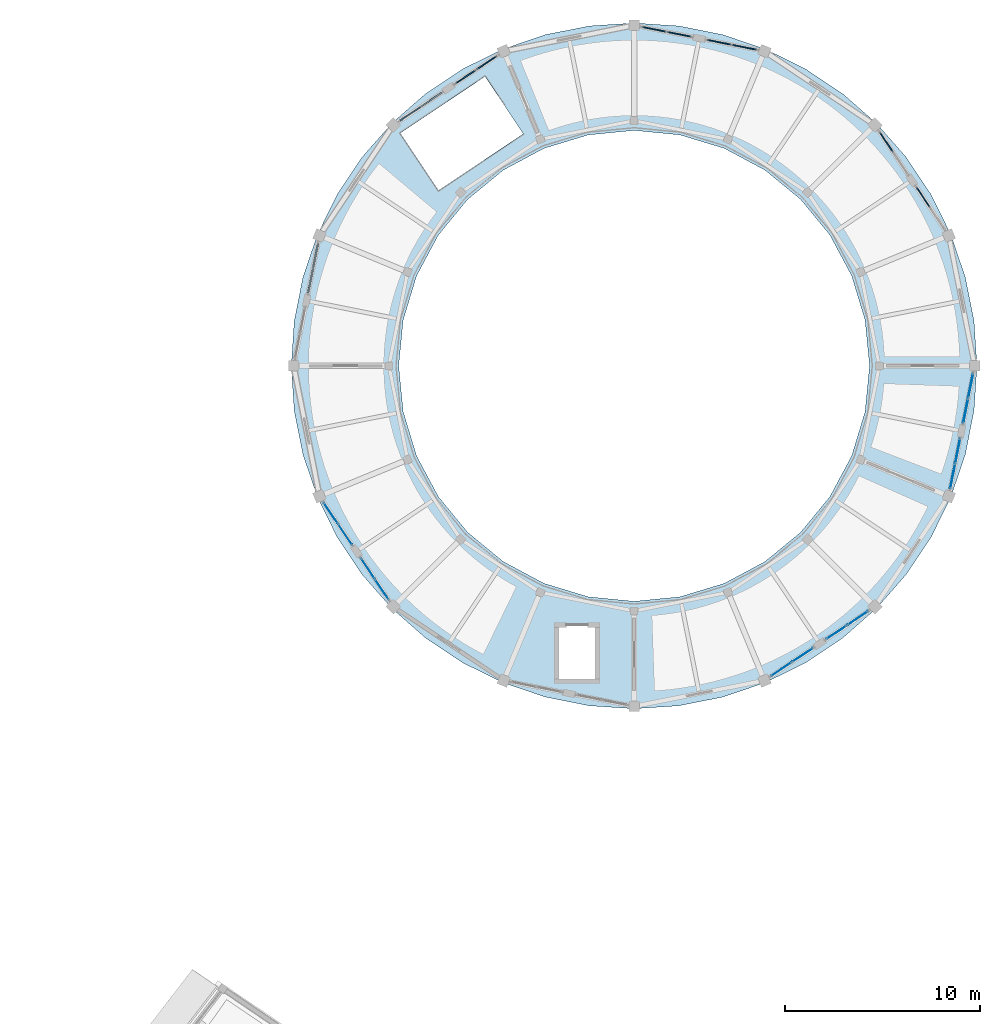
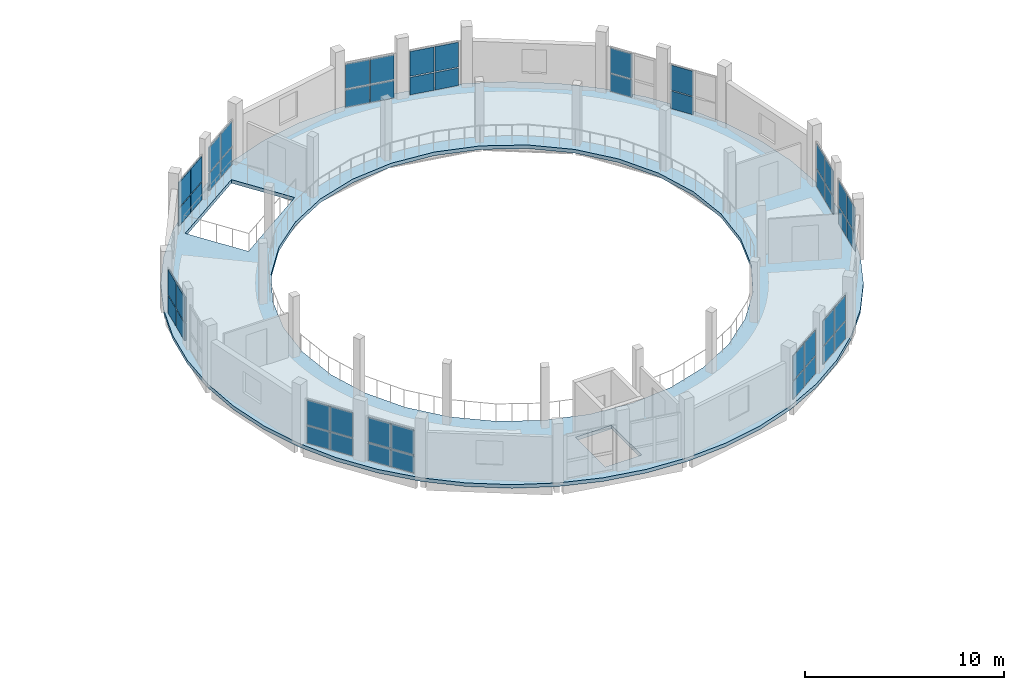
# One storey, part 53 of 77: 48 plates, 1 slab, 13 elements without a shape of their own.
"""IFC4 building model written with IfcOpenShell, lengths in metres."""

from ifc_helpers import new_model, si_unit, direction, frame, origin, origin_2d, place, context, subcontext, project, spatial, polyline, rectangle, outline, extrude, material, layer, layer_set, type_object, element, aggregate, save


model = new_model("IFC4")

# Units and contexts
model_context = context("Model", 3, precision=1e-05, world=origin(), true_north=direction((0.0, 1.0)))
body_context = subcontext(model_context, "Body", "Model", "MODEL_VIEW")
ifc_project = project(units=[si_unit("LENGTHUNIT", "METRE"), si_unit("AREAUNIT", "SQUARE_METRE"), si_unit("VOLUMEUNIT", "CUBIC_METRE"), si_unit("PLANEANGLEUNIT", "RADIAN"), si_unit("MASSUNIT", "GRAM", prefix="KILO")], contexts=[model_context])

# Site, building, storey
site_placement = place(None, origin())
site = spatial("IfcSite", under=ifc_project, at=site_placement, CompositionType="ELEMENT")
building_placement = place(site_placement, origin())
building = spatial("IfcBuilding", under=site, at=building_placement, Name="Caldaven Crescent School", CompositionType="ELEMENT")
storey_placement = place(building_placement, frame((0.0, 0.0, 4.419921875)))
storey = spatial("IfcBuildingStorey", under=building, at=storey_placement, Name="L01", CompositionType="ELEMENT", Elevation=4.419921875)

# Curtain wall, plates
ifc_material_1 = material(Name="Anodised aluminium AA 6063-T6 and low-E double glazing", Category="aluminium")
ifc_layer_1 = layer(ifc_material_1, 0.18994140625)
ifc_layer_set_1 = layer_set([ifc_layer_1], Name="Anodised aluminium AA 6063-T6 and low-E double glazing")
curtain_wall_type_1 = type_object("IfcCurtainWallType", Name="CW-SYS2", PredefinedType="NOTDEFINED", material=ifc_layer_set_1)
curtain_wall_1_placement = place(storey_placement, origin())
curtain_wall_1 = element("IfcCurtainWall", 1, at=curtain_wall_1_placement, inside=storey, type_object=curtain_wall_type_1, Name="CW-L01-025", PredefinedType="NOTDEFINED")
ifc_material_2 = material(Name="Tempered low-E double glazing IGU", Category="glass")
ifc_layer_2 = layer(ifc_material_2, 0.028076171875)
ifc_layer_set_2 = layer_set([ifc_layer_2], Name="Tempered low-E double glazing IGU")
plate_type_1 = type_object("IfcPlateType", Name="PLT-CWP02", PredefinedType="CURTAIN_PANEL", material=ifc_layer_set_2)
plate_1_placement = place(storey_placement, frame((136.91455078125, 90.93115234375, 0.06494140625), z_axis=(0.0, 0.0, 1.0), x_axis=(0.555569320019, -0.83147022235, 0.0)))
plate_1 = element("IfcPlate", 2, at=plate_1_placement, type_object=plate_type_1, Name="CW2 panel 1.1", PredefinedType="CURTAIN_PANEL", context=body_context, shape_type="SweptSolid", body=[
    extrude(rectangle(XDim=1.257080078125, YDim=0.028076171875, at=origin_2d()), origin(), (0.0, 0.0, 1.0), 1.070556640625),
])
plate_2_placement = place(storey_placement, frame((136.91455078125, 90.93115234375, 1.20068359375), z_axis=(0.0, 0.0, 1.0), x_axis=(0.555569320019, -0.83147022235, 0.0)))
plate_2 = element("IfcPlate", 3, at=plate_2_placement, type_object=plate_type_1, Name="CW2 panel 1.2", PredefinedType="CURTAIN_PANEL", context=body_context, shape_type="SweptSolid", body=[
    extrude(rectangle(XDim=1.257080078125, YDim=0.028076171875, at=origin_2d()), origin(), (0.0, 0.0, 1.0), 1.514404296875),
])
plate_3_placement = place(storey_placement, frame((137.646240234375, 89.836181640625, 0.06494140625), z_axis=(0.0, 0.0, 1.0), x_axis=(0.555569320019, -0.83147022235, 0.0)))
plate_3 = element("IfcPlate", 4, at=plate_3_placement, type_object=plate_type_1, Name="CW2 panel 2.1", PredefinedType="CURTAIN_PANEL", context=body_context, shape_type="SweptSolid", body=[
    extrude(rectangle(XDim=1.257080078125, YDim=0.028076171875, at=origin_2d()), origin(), (0.0, 0.0, 1.0), 1.070556640625),
])
plate_4_placement = place(storey_placement, frame((137.646240234375, 89.836181640625, 1.20068359375), z_axis=(0.0, 0.0, 1.0), x_axis=(0.555569320019, -0.83147022235, 0.0)))
plate_4 = element("IfcPlate", 5, at=plate_4_placement, type_object=plate_type_1, Name="CW2 panel 2.2", PredefinedType="CURTAIN_PANEL", context=body_context, shape_type="SweptSolid", body=[
    extrude(rectangle(XDim=1.257080078125, YDim=0.028076171875, at=origin_2d()), origin(), (0.0, 0.0, 1.0), 1.514404296875),
])
aggregate(curtain_wall_1, [plate_1, plate_2, plate_3, plate_4])

ifc_layer_3 = layer(ifc_material_1, 0.2099609375)
ifc_layer_set_3 = layer_set([ifc_layer_3], Name="Anodised aluminium AA 6063-T6 and low-E double glazing")
curtain_wall_type_2 = type_object("IfcCurtainWallType", Name="CW-SYS3", PredefinedType="NOTDEFINED", material=ifc_layer_set_3)
curtain_wall_2_placement = place(storey_placement, origin())
curtain_wall_2 = element("IfcCurtainWall", 6, at=curtain_wall_2_placement, inside=storey, type_object=curtain_wall_type_2, Name="CW-L01-026", PredefinedType="NOTDEFINED")
ifc_layer_4 = layer(ifc_material_2, 0.030029296875)
ifc_layer_set_4 = layer_set([ifc_layer_4], Name="Tempered low-E double glazing IGU")
plate_type_2 = type_object("IfcPlateType", Name="PLT-CWP03", PredefinedType="CURTAIN_PANEL", material=ifc_layer_set_4)
plate_5_placement = place(storey_placement, frame((138.81201171875, 88.091552734375, 0.070068359375), z_axis=(0.0, 0.0, 1.0), x_axis=(0.555571886154, -0.831468507711, 0.0)))
plate_5 = element("IfcPlate", 7, at=plate_5_placement, type_object=plate_type_2, Name="CW3 panel 1.1", PredefinedType="CURTAIN_PANEL", context=body_context, shape_type="SweptSolid", body=[
    extrude(rectangle(XDim=1.24951171875, YDim=0.030029296875, at=origin_2d()), origin(), (0.0, 0.0, 1.0), 1.06298828125),
])
plate_6_placement = place(storey_placement, frame((138.81201171875, 88.091552734375, 1.203125), z_axis=(0.0, 0.0, 1.0), x_axis=(0.555571886154, -0.831468507711, 0.0)))
plate_6 = element("IfcPlate", 8, at=plate_6_placement, type_object=plate_type_2, Name="CW3 panel 1.2", PredefinedType="CURTAIN_PANEL", context=body_context, shape_type="SweptSolid", body=[
    extrude(rectangle(XDim=1.24951171875, YDim=0.030029296875, at=origin_2d()), origin(), (0.0, 0.0, 1.0), 1.507080078125),
])
plate_7_placement = place(storey_placement, frame((139.54248046875, 86.99853515625, 0.070068359375), z_axis=(0.0, 0.0, 1.0), x_axis=(0.555571886154, -0.831468507711, 0.0)))
plate_7 = element("IfcPlate", 9, at=plate_7_placement, type_object=plate_type_2, Name="CW3 panel 2.1", PredefinedType="CURTAIN_PANEL", context=body_context, shape_type="SweptSolid", body=[
    extrude(rectangle(XDim=1.24951171875, YDim=0.030029296875, at=origin_2d()), origin(), (0.0, 0.0, 1.0), 1.06298828125),
])
plate_8_placement = place(storey_placement, frame((139.54248046875, 86.99853515625, 1.203125), z_axis=(0.0, 0.0, 1.0), x_axis=(0.555571886154, -0.831468507711, 0.0)))
plate_8 = element("IfcPlate", 10, at=plate_8_placement, type_object=plate_type_2, Name="CW3 panel 2.2", PredefinedType="CURTAIN_PANEL", context=body_context, shape_type="SweptSolid", body=[
    extrude(rectangle(XDim=1.24951171875, YDim=0.030029296875, at=origin_2d()), origin(), (0.0, 0.0, 1.0), 1.507080078125),
])
aggregate(curtain_wall_2, [plate_5, plate_6, plate_7, plate_8])

curtain_wall_3_placement = place(storey_placement, origin())
curtain_wall_3 = element("IfcCurtainWall", 11, at=curtain_wall_3_placement, inside=storey, type_object=curtain_wall_type_1, Name="CW-L01-029", PredefinedType="NOTDEFINED")
ifc_layer_5 = layer(ifc_material_2, 0.035888671875)
ifc_layer_set_5 = layer_set([ifc_layer_5], Name="Tempered low-E double glazing IGU")
plate_type_3 = type_object("IfcPlateType", Name="PLT-CWP06", PredefinedType="CURTAIN_PANEL", material=ifc_layer_set_5)
plate_9_placement = place(storey_placement, frame((160.06982421875, 82.915283203125, 0.06005859375), z_axis=(0.0, 0.0, 1.0), x_axis=(0.83147022235, 0.555569320019, 0.0)))
plate_9 = element("IfcPlate", 12, at=plate_9_placement, type_object=plate_type_3, Name="CW2 panel 1.1", PredefinedType="CURTAIN_PANEL", context=body_context, shape_type="SweptSolid", body=[
    extrude(rectangle(XDim=1.24951171875, YDim=0.035888671875, at=origin_2d()), origin(), (0.0, 0.0, 1.0), 1.077880859375),
])
plate_10_placement = place(storey_placement, frame((160.06982421875, 82.915283203125, 1.197998046875), z_axis=(0.0, 0.0, 1.0), x_axis=(0.83147022235, 0.555569320019, 0.0)))
plate_10 = element("IfcPlate", 13, at=plate_10_placement, type_object=plate_type_3, Name="CW2 panel 1.2", PredefinedType="CURTAIN_PANEL", context=body_context, shape_type="SweptSolid", body=[
    extrude(rectangle(XDim=1.24951171875, YDim=0.035888671875, at=origin_2d()), origin(), (0.0, 0.0, 1.0), 1.52197265625),
])
plate_11_placement = place(storey_placement, frame((161.162841796875, 83.645751953125, 0.06005859375), z_axis=(0.0, 0.0, 1.0), x_axis=(0.83147022235, 0.555569320019, 0.0)))
plate_11 = element("IfcPlate", 14, at=plate_11_placement, type_object=plate_type_3, Name="CW2 panel 2.1", PredefinedType="CURTAIN_PANEL", context=body_context, shape_type="SweptSolid", body=[
    extrude(rectangle(XDim=1.24951171875, YDim=0.035888671875, at=origin_2d()), origin(), (0.0, 0.0, 1.0), 1.077880859375),
])
plate_12_placement = place(storey_placement, frame((161.162841796875, 83.645751953125, 1.197998046875), z_axis=(0.0, 0.0, 1.0), x_axis=(0.83147022235, 0.555569320019, 0.0)))
plate_12 = element("IfcPlate", 15, at=plate_12_placement, type_object=plate_type_3, Name="CW2 panel 2.2", PredefinedType="CURTAIN_PANEL", context=body_context, shape_type="SweptSolid", body=[
    extrude(rectangle(XDim=1.24951171875, YDim=0.035888671875, at=origin_2d()), origin(), (0.0, 0.0, 1.0), 1.52197265625),
])
aggregate(curtain_wall_3, [plate_9, plate_10, plate_11, plate_12])

curtain_wall_4_placement = place(storey_placement, origin())
curtain_wall_4 = element("IfcCurtainWall", 16, at=curtain_wall_4_placement, inside=storey, type_object=curtain_wall_type_2, Name="CW-L01-030", PredefinedType="NOTDEFINED")
ifc_layer_6 = layer(ifc_material_2, 0.0380859375)
ifc_layer_set_6 = layer_set([ifc_layer_6], Name="Tempered low-E double glazing IGU")
plate_type_4 = type_object("IfcPlateType", Name="PLT-CWP07", PredefinedType="CURTAIN_PANEL", material=ifc_layer_set_6)
plate_13_placement = place(storey_placement, frame((162.90966796875, 84.812744140625, 0.06494140625), z_axis=(0.0, 0.0, 1.0), x_axis=(0.831468507711, 0.555571886154, 0.0)))
plate_13 = element("IfcPlate", 17, at=plate_13_placement, type_object=plate_type_4, Name="CW3 panel 1.1", PredefinedType="CURTAIN_PANEL", context=body_context, shape_type="SweptSolid", body=[
    extrude(rectangle(XDim=1.241943359375, YDim=0.0380859375, at=origin_2d()), origin(), (0.0, 0.0, 1.0), 1.070556640625),
])
plate_14_placement = place(storey_placement, frame((162.90966796875, 84.812744140625, 1.20068359375), z_axis=(0.0, 0.0, 1.0), x_axis=(0.831468507711, 0.555571886154, 0.0)))
plate_14 = element("IfcPlate", 18, at=plate_14_placement, type_object=plate_type_4, Name="CW3 panel 1.2", PredefinedType="CURTAIN_PANEL", context=body_context, shape_type="SweptSolid", body=[
    extrude(rectangle(XDim=1.241943359375, YDim=0.0380859375, at=origin_2d()), origin(), (0.0, 0.0, 1.0), 1.514404296875),
])
plate_15_placement = place(storey_placement, frame((164.00048828125, 85.541748046875, 0.06494140625), z_axis=(0.0, 0.0, 1.0), x_axis=(0.831468507711, 0.555571886154, 0.0)))
plate_15 = element("IfcPlate", 19, at=plate_15_placement, type_object=plate_type_4, Name="CW3 panel 2.1", PredefinedType="CURTAIN_PANEL", context=body_context, shape_type="SweptSolid", body=[
    extrude(rectangle(XDim=1.241943359375, YDim=0.0380859375, at=origin_2d()), origin(), (0.0, 0.0, 1.0), 1.070556640625),
])
plate_16_placement = place(storey_placement, frame((164.00048828125, 85.541748046875, 1.20068359375), z_axis=(0.0, 0.0, 1.0), x_axis=(0.831468507711, 0.555571886154, 0.0)))
plate_16 = element("IfcPlate", 20, at=plate_16_placement, type_object=plate_type_4, Name="CW3 panel 2.2", PredefinedType="CURTAIN_PANEL", context=body_context, shape_type="SweptSolid", body=[
    extrude(rectangle(XDim=1.241943359375, YDim=0.0380859375, at=origin_2d()), origin(), (0.0, 0.0, 1.0), 1.514404296875),
])
aggregate(curtain_wall_4, [plate_13, plate_14, plate_15, plate_16])

ifc_layer_7 = layer(ifc_material_1, 0.22998046875)
ifc_layer_set_7 = layer_set([ifc_layer_7], Name="Anodised aluminium AA 6063-T6 and low-E double glazing")
curtain_wall_type_3 = type_object("IfcCurtainWallType", Name="CW-SYS4", PredefinedType="NOTDEFINED", material=ifc_layer_set_7)
curtain_wall_5_placement = place(storey_placement, origin())
curtain_wall_5 = element("IfcCurtainWall", 21, at=curtain_wall_5_placement, inside=storey, type_object=curtain_wall_type_3, Name="CW-L01-031", PredefinedType="NOTDEFINED")
ifc_layer_8 = layer(ifc_material_2, 0.0400390625)
ifc_layer_set_8 = layer_set([ifc_layer_8], Name="Tempered low-E double glazing IGU")
plate_type_5 = type_object("IfcPlateType", Name="PLT-CWP08", PredefinedType="CURTAIN_PANEL", material=ifc_layer_set_8)
plate_17_placement = place(storey_placement, frame((168.87255859375, 92.831298828125, 0.06494140625), z_axis=(0.0, 0.0, 1.0), x_axis=(0.195090276825, 0.980785289392, 0.0)))
plate_17 = element("IfcPlate", 22, at=plate_17_placement, type_object=plate_type_5, Name="CW4 panel 1.1", PredefinedType="CURTAIN_PANEL", context=body_context, shape_type="SweptSolid", body=[
    extrude(rectangle(XDim=1.257080078125, YDim=0.0400390625, at=origin_2d()), origin(), (0.0, 0.0, 1.0), 1.070556640625),
])
plate_18_placement = place(storey_placement, frame((168.87255859375, 92.831298828125, 1.20068359375), z_axis=(0.0, 0.0, 1.0), x_axis=(0.195090276825, 0.980785289392, 0.0)))
plate_18 = element("IfcPlate", 23, at=plate_18_placement, type_object=plate_type_5, Name="CW4 panel 1.2", PredefinedType="CURTAIN_PANEL", context=body_context, shape_type="SweptSolid", body=[
    extrude(rectangle(XDim=1.257080078125, YDim=0.0400390625, at=origin_2d()), origin(), (0.0, 0.0, 1.0), 1.514404296875),
])
plate_19_placement = place(storey_placement, frame((169.12939453125, 94.123046875, 0.06494140625), z_axis=(0.0, 0.0, 1.0), x_axis=(0.195090276825, 0.980785289392, 0.0)))
plate_19 = element("IfcPlate", 24, at=plate_19_placement, type_object=plate_type_5, Name="CW4 panel 2.1", PredefinedType="CURTAIN_PANEL", context=body_context, shape_type="SweptSolid", body=[
    extrude(rectangle(XDim=1.257080078125, YDim=0.0400390625, at=origin_2d()), origin(), (0.0, 0.0, 1.0), 1.070556640625),
])
plate_20_placement = place(storey_placement, frame((169.12939453125, 94.123046875, 1.20068359375), z_axis=(0.0, 0.0, 1.0), x_axis=(0.195090276825, 0.980785289392, 0.0)))
plate_20 = element("IfcPlate", 25, at=plate_20_placement, type_object=plate_type_5, Name="CW4 panel 2.2", PredefinedType="CURTAIN_PANEL", context=body_context, shape_type="SweptSolid", body=[
    extrude(rectangle(XDim=1.257080078125, YDim=0.0400390625, at=origin_2d()), origin(), (0.0, 0.0, 1.0), 1.514404296875),
])
aggregate(curtain_wall_5, [plate_17, plate_18, plate_19, plate_20])

ifc_layer_9 = layer(ifc_material_1, 0.169921875)
ifc_layer_set_9 = layer_set([ifc_layer_9], Name="Anodised aluminium AA 6063-T6 and low-E double glazing")
curtain_wall_type_4 = type_object("IfcCurtainWallType", Name="CW-SYS1", PredefinedType="NOTDEFINED", material=ifc_layer_set_9)
curtain_wall_6_placement = place(storey_placement, origin())
curtain_wall_6 = element("IfcCurtainWall", 26, at=curtain_wall_6_placement, inside=storey, type_object=curtain_wall_type_4, Name="CW-L01-032", PredefinedType="NOTDEFINED")
ifc_layer_10 = layer(ifc_material_2, 0.0419921875)
ifc_layer_set_10 = layer_set([ifc_layer_10], Name="Tempered low-E double glazing IGU")
plate_type_6 = type_object("IfcPlateType", Name="PLT-CWP09", PredefinedType="CURTAIN_PANEL", material=ifc_layer_set_10)
plate_21_placement = place(storey_placement, frame((169.538818359375, 96.18115234375, 0.070068359375), z_axis=(0.0, 0.0, 1.0), x_axis=(0.195090276825, 0.980785289392, 0.0)))
plate_21 = element("IfcPlate", 27, at=plate_21_placement, type_object=plate_type_6, Name="CW1 panel 1.1", PredefinedType="CURTAIN_PANEL", context=body_context, shape_type="SweptSolid", body=[
    extrude(rectangle(XDim=1.24951171875, YDim=0.0419921875, at=origin_2d()), origin(), (0.0, 0.0, 1.0), 1.06298828125),
])
plate_22_placement = place(storey_placement, frame((169.538818359375, 96.18115234375, 1.203125), z_axis=(0.0, 0.0, 1.0), x_axis=(0.195090276825, 0.980785289392, 0.0)))
plate_22 = element("IfcPlate", 28, at=plate_22_placement, type_object=plate_type_6, Name="CW1 panel 1.2", PredefinedType="CURTAIN_PANEL", context=body_context, shape_type="SweptSolid", body=[
    extrude(rectangle(XDim=1.24951171875, YDim=0.0419921875, at=origin_2d()), origin(), (0.0, 0.0, 1.0), 1.507080078125),
])
plate_23_placement = place(storey_placement, frame((169.795166015625, 97.470458984375, 0.070068359375), z_axis=(0.0, 0.0, 1.0), x_axis=(0.195090276825, 0.980785289392, 0.0)))
plate_23 = element("IfcPlate", 29, at=plate_23_placement, type_object=plate_type_6, Name="CW1 panel 2.1", PredefinedType="CURTAIN_PANEL", context=body_context, shape_type="SweptSolid", body=[
    extrude(rectangle(XDim=1.24951171875, YDim=0.0419921875, at=origin_2d()), origin(), (0.0, 0.0, 1.0), 1.06298828125),
])
plate_24_placement = place(storey_placement, frame((169.795166015625, 97.470458984375, 1.203125), z_axis=(0.0, 0.0, 1.0), x_axis=(0.195090276825, 0.980785289392, 0.0)))
plate_24 = element("IfcPlate", 30, at=plate_24_placement, type_object=plate_type_6, Name="CW1 panel 2.2", PredefinedType="CURTAIN_PANEL", context=body_context, shape_type="SweptSolid", body=[
    extrude(rectangle(XDim=1.24951171875, YDim=0.0419921875, at=origin_2d()), origin(), (0.0, 0.0, 1.0), 1.507080078125),
])
aggregate(curtain_wall_6, [plate_21, plate_22, plate_23, plate_24])

curtain_wall_7_placement = place(storey_placement, origin())
curtain_wall_7 = element("IfcCurtainWall", 31, at=curtain_wall_7_placement, inside=storey, type_object=curtain_wall_type_1, Name="CW-L01-017", PredefinedType="NOTDEFINED")
ifc_layer_11 = layer(ifc_material_2, 0.06005859375)
ifc_layer_set_11 = layer_set([ifc_layer_11], Name="Tempered low-E double glazing IGU")
plate_type_7 = type_object("IfcPlateType", Name="PLT-CWP18", PredefinedType="CURTAIN_PANEL", material=ifc_layer_set_11)
plate_25_placement = place(storey_placement, frame((167.354248046875, 107.162841796875, 0.06005859375), z_axis=(0.0, 0.0, 1.0), x_axis=(-0.555569320019, 0.83147022235, 0.0)))
plate_25 = element("IfcPlate", 32, at=plate_25_placement, type_object=plate_type_7, Name="CW2 panel 2.1", PredefinedType="CURTAIN_PANEL", context=body_context, shape_type="SweptSolid", body=[
    extrude(rectangle(XDim=1.24951171875, YDim=0.06005859375, at=origin_2d()), origin(), (0.0, 0.0, 1.0), 1.077880859375),
])
plate_26_placement = place(storey_placement, frame((167.354248046875, 107.162841796875, 1.197998046875), z_axis=(0.0, 0.0, 1.0), x_axis=(-0.555569320019, 0.83147022235, 0.0)))
plate_26 = element("IfcPlate", 33, at=plate_26_placement, type_object=plate_type_7, Name="CW2 panel 2.2", PredefinedType="CURTAIN_PANEL", context=body_context, shape_type="SweptSolid", body=[
    extrude(rectangle(XDim=1.24951171875, YDim=0.06005859375, at=origin_2d()), origin(), (0.0, 0.0, 1.0), 1.52197265625),
])
aggregate(curtain_wall_7, [plate_25, plate_26])

curtain_wall_8_placement = place(storey_placement, origin())
curtain_wall_8 = element("IfcCurtainWall", 34, at=curtain_wall_8_placement, inside=storey, type_object=curtain_wall_type_2, Name="CW-L01-018", PredefinedType="NOTDEFINED")
ifc_material_3 = material(Name="Insulated bronze aluminium spandrel panel", Category="aluminium")
ifc_layer_12 = layer(ifc_material_3, 0.06201171875)
ifc_layer_set_12 = layer_set([ifc_layer_12], Name="Insulated bronze aluminium spandrel panel")
plate_type_8 = type_object("IfcPlateType", Name="PLT-CWP19", PredefinedType="CURTAIN_PANEL", material=ifc_layer_set_12)
plate_27_placement = place(storey_placement, frame((165.458251953125, 110.00048828125, 0.06494140625), z_axis=(0.0, 0.0, 1.0), x_axis=(-0.555571886154, 0.831468507711, 0.0)))
plate_27 = element("IfcPlate", 35, at=plate_27_placement, type_object=plate_type_8, Name="CW3 panel 2.1", PredefinedType="CURTAIN_PANEL", context=body_context, shape_type="SweptSolid", body=[
    extrude(rectangle(XDim=1.241943359375, YDim=0.06201171875, at=origin_2d()), origin(), (0.0, 0.0, 1.0), 1.070556640625),
])
plate_28_placement = place(storey_placement, frame((165.458251953125, 110.00048828125, 1.20068359375), z_axis=(0.0, 0.0, 1.0), x_axis=(-0.555571886154, 0.831468507711, 0.0)))
plate_28 = element("IfcPlate", 36, at=plate_28_placement, type_object=plate_type_8, Name="CW3 panel 2.2", PredefinedType="CURTAIN_PANEL", context=body_context, shape_type="SweptSolid", body=[
    extrude(rectangle(XDim=1.241943359375, YDim=0.06201171875, at=origin_2d()), origin(), (0.0, 0.0, 1.0), 1.514404296875),
])
aggregate(curtain_wall_8, [plate_27, plate_28])

curtain_wall_9_placement = place(storey_placement, origin())
curtain_wall_9 = element("IfcCurtainWall", 37, at=curtain_wall_9_placement, inside=storey, type_object=curtain_wall_type_3, Name="CW-L01-019", PredefinedType="NOTDEFINED")
ifc_layer_13 = layer(ifc_material_3, 0.06396484375)
ifc_layer_set_13 = layer_set([ifc_layer_13], Name="Insulated bronze aluminium spandrel panel")
plate_type_9 = type_object("IfcPlateType", Name="PLT-CWP20", PredefinedType="CURTAIN_PANEL", material=ifc_layer_set_13)
plate_29_placement = place(storey_placement, frame((158.168701171875, 114.87255859375, 0.06494140625), z_axis=(0.0, 0.0, 1.0), x_axis=(-0.980785289392, 0.195090276825, 0.0)))
plate_29 = element("IfcPlate", 38, at=plate_29_placement, type_object=plate_type_9, Name="CW4 panel 1.1", PredefinedType="CURTAIN_PANEL", context=body_context, shape_type="SweptSolid", body=[
    extrude(rectangle(XDim=1.257080078125, YDim=0.06396484375, at=origin_2d()), origin(), (0.0, 0.0, 1.0), 1.070556640625),
])
plate_30_placement = place(storey_placement, frame((158.168701171875, 114.87255859375, 1.20068359375), z_axis=(0.0, 0.0, 1.0), x_axis=(-0.980785289392, 0.195090276825, 0.0)))
plate_30 = element("IfcPlate", 39, at=plate_30_placement, type_object=plate_type_9, Name="CW4 panel 1.2", PredefinedType="CURTAIN_PANEL", context=body_context, shape_type="SweptSolid", body=[
    extrude(rectangle(XDim=1.257080078125, YDim=0.06396484375, at=origin_2d()), origin(), (0.0, 0.0, 1.0), 1.514404296875),
])
plate_31_placement = place(storey_placement, frame((156.876953125, 115.12939453125, 0.06494140625), z_axis=(0.0, 0.0, 1.0), x_axis=(-0.980785289392, 0.195090276825, 0.0)))
plate_31 = element("IfcPlate", 40, at=plate_31_placement, type_object=plate_type_9, Name="CW4 panel 2.1", PredefinedType="CURTAIN_PANEL", context=body_context, shape_type="SweptSolid", body=[
    extrude(rectangle(XDim=1.257080078125, YDim=0.06396484375, at=origin_2d()), origin(), (0.0, 0.0, 1.0), 1.070556640625),
])
plate_32_placement = place(storey_placement, frame((156.876953125, 115.12939453125, 1.20068359375), z_axis=(0.0, 0.0, 1.0), x_axis=(-0.980785289392, 0.195090276825, 0.0)))
plate_32 = element("IfcPlate", 41, at=plate_32_placement, type_object=plate_type_9, Name="CW4 panel 2.2", PredefinedType="CURTAIN_PANEL", context=body_context, shape_type="SweptSolid", body=[
    extrude(rectangle(XDim=1.257080078125, YDim=0.06396484375, at=origin_2d()), origin(), (0.0, 0.0, 1.0), 1.514404296875),
])
aggregate(curtain_wall_9, [plate_29, plate_30, plate_31, plate_32])

curtain_wall_10_placement = place(storey_placement, origin())
curtain_wall_10 = element("IfcCurtainWall", 42, at=curtain_wall_10_placement, inside=storey, type_object=curtain_wall_type_4, Name="CW-L01-020", PredefinedType="NOTDEFINED")
ifc_layer_14 = layer(ifc_material_3, 0.06591796875)
ifc_layer_set_14 = layer_set([ifc_layer_14], Name="Insulated bronze aluminium spandrel panel")
plate_type_10 = type_object("IfcPlateType", Name="PLT-CWP21", PredefinedType="CURTAIN_PANEL", material=ifc_layer_set_14)
plate_33_placement = place(storey_placement, frame((154.81884765625, 115.538818359375, 0.070068359375), z_axis=(0.0, 0.0, 1.0), x_axis=(-0.980785289392, 0.195090276825, 0.0)))
plate_33 = element("IfcPlate", 43, at=plate_33_placement, type_object=plate_type_10, Name="CW1 panel 1.1", PredefinedType="CURTAIN_PANEL", context=body_context, shape_type="SweptSolid", body=[
    extrude(rectangle(XDim=1.24951171875, YDim=0.06591796875, at=origin_2d()), origin(), (0.0, 0.0, 1.0), 1.06298828125),
])
plate_34_placement = place(storey_placement, frame((154.81884765625, 115.538818359375, 1.203125), z_axis=(0.0, 0.0, 1.0), x_axis=(-0.980785289392, 0.195090276825, 0.0)))
plate_34 = element("IfcPlate", 44, at=plate_34_placement, type_object=plate_type_10, Name="CW1 panel 1.2", PredefinedType="CURTAIN_PANEL", context=body_context, shape_type="SweptSolid", body=[
    extrude(rectangle(XDim=1.24951171875, YDim=0.06591796875, at=origin_2d()), origin(), (0.0, 0.0, 1.0), 1.507080078125),
])
plate_35_placement = place(storey_placement, frame((153.529541015625, 115.795166015625, 0.070068359375), z_axis=(0.0, 0.0, 1.0), x_axis=(-0.980785289392, 0.195090276825, 0.0)))
plate_35 = element("IfcPlate", 45, at=plate_35_placement, type_object=plate_type_10, Name="CW1 panel 2.1", PredefinedType="CURTAIN_PANEL", context=body_context, shape_type="SweptSolid", body=[
    extrude(rectangle(XDim=1.24951171875, YDim=0.06591796875, at=origin_2d()), origin(), (0.0, 0.0, 1.0), 1.06298828125),
])
plate_36_placement = place(storey_placement, frame((153.529541015625, 115.795166015625, 1.203125), z_axis=(0.0, 0.0, 1.0), x_axis=(-0.980785289392, 0.195090276825, 0.0)))
plate_36 = element("IfcPlate", 46, at=plate_36_placement, type_object=plate_type_10, Name="CW1 panel 2.2", PredefinedType="CURTAIN_PANEL", context=body_context, shape_type="SweptSolid", body=[
    extrude(rectangle(XDim=1.24951171875, YDim=0.06591796875, at=origin_2d()), origin(), (0.0, 0.0, 1.0), 1.507080078125),
])
aggregate(curtain_wall_10, [plate_33, plate_34, plate_35, plate_36])

curtain_wall_11_placement = place(storey_placement, origin())
curtain_wall_11 = element("IfcCurtainWall", 47, at=curtain_wall_11_placement, inside=storey, type_object=curtain_wall_type_1, Name="CW-L01-021", PredefinedType="NOTDEFINED")
ifc_layer_15 = layer(ifc_material_3, 0.068115234375)
ifc_layer_set_15 = layer_set([ifc_layer_15], Name="Insulated bronze aluminium spandrel panel")
plate_type_11 = type_object("IfcPlateType", Name="PLT-CWP22", PredefinedType="CURTAIN_PANEL", material=ifc_layer_set_15)
plate_37_placement = place(storey_placement, frame((144.92919921875, 114.083984375, 0.070068359375), z_axis=(0.0, 0.0, 1.0), x_axis=(-0.83147022235, -0.555569320019, 0.0)))
plate_37 = element("IfcPlate", 48, at=plate_37_placement, type_object=plate_type_11, Name="CW2 panel 1.1", PredefinedType="CURTAIN_PANEL", context=body_context, shape_type="SweptSolid", body=[
    extrude(rectangle(XDim=1.241943359375, YDim=0.068115234375, at=origin_2d()), origin(), (0.0, 0.0, 1.0), 1.06298828125),
])
plate_38_placement = place(storey_placement, frame((144.92919921875, 114.083984375, 1.203125), z_axis=(0.0, 0.0, 1.0), x_axis=(-0.83147022235, -0.555569320019, 0.0)))
plate_38 = element("IfcPlate", 49, at=plate_38_placement, type_object=plate_type_11, Name="CW2 panel 1.2", PredefinedType="CURTAIN_PANEL", context=body_context, shape_type="SweptSolid", body=[
    extrude(rectangle(XDim=1.241943359375, YDim=0.068115234375, at=origin_2d()), origin(), (0.0, 0.0, 1.0), 1.507080078125),
])
plate_39_placement = place(storey_placement, frame((143.838134765625, 113.35498046875, 0.070068359375), z_axis=(0.0, 0.0, 1.0), x_axis=(-0.83147022235, -0.555569320019, 0.0)))
plate_39 = element("IfcPlate", 50, at=plate_39_placement, type_object=plate_type_11, Name="CW2 panel 2.1", PredefinedType="CURTAIN_PANEL", context=body_context, shape_type="SweptSolid", body=[
    extrude(rectangle(XDim=1.241943359375, YDim=0.068115234375, at=origin_2d()), origin(), (0.0, 0.0, 1.0), 1.06298828125),
])
plate_40_placement = place(storey_placement, frame((143.838134765625, 113.35498046875, 1.203125), z_axis=(0.0, 0.0, 1.0), x_axis=(-0.83147022235, -0.555569320019, 0.0)))
plate_40 = element("IfcPlate", 51, at=plate_40_placement, type_object=plate_type_11, Name="CW2 panel 2.2", PredefinedType="CURTAIN_PANEL", context=body_context, shape_type="SweptSolid", body=[
    extrude(rectangle(XDim=1.241943359375, YDim=0.068115234375, at=origin_2d()), origin(), (0.0, 0.0, 1.0), 1.507080078125),
])
aggregate(curtain_wall_11, [plate_37, plate_38, plate_39, plate_40])

curtain_wall_12_placement = place(storey_placement, origin())
curtain_wall_12 = element("IfcCurtainWall", 52, at=curtain_wall_12_placement, inside=storey, type_object=curtain_wall_type_2, Name="CW-L01-022", PredefinedType="NOTDEFINED")
ifc_layer_16 = layer(ifc_material_3, 0.070068359375)
ifc_layer_set_16 = layer_set([ifc_layer_16], Name="Insulated bronze aluminium spandrel panel")
plate_type_12 = type_object("IfcPlateType", Name="PLT-CWP23", PredefinedType="CURTAIN_PANEL", material=ifc_layer_set_16)
plate_41_placement = place(storey_placement, frame((142.092529296875, 112.188720703125, 0.06005859375), z_axis=(0.0, 0.0, 1.0), x_axis=(-0.831468507711, -0.555571886154, 0.0)))
plate_41 = element("IfcPlate", 53, at=plate_41_placement, type_object=plate_type_12, Name="CW3 panel 1.1", PredefinedType="CURTAIN_PANEL", context=body_context, shape_type="SweptSolid", body=[
    extrude(rectangle(XDim=1.257080078125, YDim=0.070068359375, at=origin_2d()), origin(), (0.0, 0.0, 1.0), 1.077880859375),
])
plate_42_placement = place(storey_placement, frame((142.092529296875, 112.188720703125, 1.197998046875), z_axis=(0.0, 0.0, 1.0), x_axis=(-0.831468507711, -0.555571886154, 0.0)))
plate_42 = element("IfcPlate", 54, at=plate_42_placement, type_object=plate_type_12, Name="CW3 panel 1.2", PredefinedType="CURTAIN_PANEL", context=body_context, shape_type="SweptSolid", body=[
    extrude(rectangle(XDim=1.257080078125, YDim=0.070068359375, at=origin_2d()), origin(), (0.0, 0.0, 1.0), 1.52197265625),
])
plate_43_placement = place(storey_placement, frame((140.99755859375, 111.456787109375, 0.06005859375), z_axis=(0.0, 0.0, 1.0), x_axis=(-0.831468507711, -0.555571886154, 0.0)))
plate_43 = element("IfcPlate", 55, at=plate_43_placement, type_object=plate_type_12, Name="CW3 panel 2.1", PredefinedType="CURTAIN_PANEL", context=body_context, shape_type="SweptSolid", body=[
    extrude(rectangle(XDim=1.257080078125, YDim=0.070068359375, at=origin_2d()), origin(), (0.0, 0.0, 1.0), 1.077880859375),
])
plate_44_placement = place(storey_placement, frame((140.99755859375, 111.456787109375, 1.197998046875), z_axis=(0.0, 0.0, 1.0), x_axis=(-0.831468507711, -0.555571886154, 0.0)))
plate_44 = element("IfcPlate", 56, at=plate_44_placement, type_object=plate_type_12, Name="CW3 panel 2.2", PredefinedType="CURTAIN_PANEL", context=body_context, shape_type="SweptSolid", body=[
    extrude(rectangle(XDim=1.257080078125, YDim=0.070068359375, at=origin_2d()), origin(), (0.0, 0.0, 1.0), 1.52197265625),
])
aggregate(curtain_wall_12, [plate_41, plate_42, plate_43, plate_44])

curtain_wall_13_placement = place(storey_placement, origin())
curtain_wall_13 = element("IfcCurtainWall", 57, at=curtain_wall_13_placement, inside=storey, type_object=curtain_wall_type_3, Name="CW-L01-023", PredefinedType="NOTDEFINED")
ifc_layer_17 = layer(ifc_material_3, 0.072021484375)
ifc_layer_set_17 = layer_set([ifc_layer_17], Name="Insulated bronze aluminium spandrel panel")
plate_type_13 = type_object("IfcPlateType", Name="PLT-CWP24", PredefinedType="CURTAIN_PANEL", material=ifc_layer_set_17)
plate_45_placement = place(storey_placement, frame((136.127197265625, 104.16748046875, 0.06005859375), z_axis=(0.0, 0.0, 1.0), x_axis=(-0.195090276825, -0.980785289392, 0.0)))
plate_45 = element("IfcPlate", 58, at=plate_45_placement, type_object=plate_type_13, Name="CW4 panel 1.1", PredefinedType="CURTAIN_PANEL", context=body_context, shape_type="SweptSolid", body=[
    extrude(rectangle(XDim=1.24951171875, YDim=0.072021484375, at=origin_2d()), origin(), (0.0, 0.0, 1.0), 1.077880859375),
])
plate_46_placement = place(storey_placement, frame((136.127197265625, 104.16748046875, 1.197998046875), z_axis=(0.0, 0.0, 1.0), x_axis=(-0.195090276825, -0.980785289392, 0.0)))
plate_46 = element("IfcPlate", 59, at=plate_46_placement, type_object=plate_type_13, Name="CW4 panel 1.2", PredefinedType="CURTAIN_PANEL", context=body_context, shape_type="SweptSolid", body=[
    extrude(rectangle(XDim=1.24951171875, YDim=0.072021484375, at=origin_2d()), origin(), (0.0, 0.0, 1.0), 1.52197265625),
])
plate_47_placement = place(storey_placement, frame((135.870849609375, 102.878173828125, 0.06005859375), z_axis=(0.0, 0.0, 1.0), x_axis=(-0.195090276825, -0.980785289392, 0.0)))
plate_47 = element("IfcPlate", 60, at=plate_47_placement, type_object=plate_type_13, Name="CW4 panel 2.1", PredefinedType="CURTAIN_PANEL", context=body_context, shape_type="SweptSolid", body=[
    extrude(rectangle(XDim=1.24951171875, YDim=0.072021484375, at=origin_2d()), origin(), (0.0, 0.0, 1.0), 1.077880859375),
])
plate_48_placement = place(storey_placement, frame((135.870849609375, 102.878173828125, 1.197998046875), z_axis=(0.0, 0.0, 1.0), x_axis=(-0.195090276825, -0.980785289392, 0.0)))
plate_48 = element("IfcPlate", 61, at=plate_48_placement, type_object=plate_type_13, Name="CW4 panel 2.2", PredefinedType="CURTAIN_PANEL", context=body_context, shape_type="SweptSolid", body=[
    extrude(rectangle(XDim=1.24951171875, YDim=0.072021484375, at=origin_2d()), origin(), (0.0, 0.0, 1.0), 1.52197265625),
])
aggregate(curtain_wall_13, [plate_45, plate_46, plate_47, plate_48])

# Slab
ifc_material_4 = material(Name="Cross-laminated timber CLT C24", Category="wood")
ifc_layer_18 = layer(ifc_material_4, 0.219970703125)
ifc_layer_set_18 = layer_set([ifc_layer_18], Name="Cross-laminated timber CLT C24")
slab_type = type_object("IfcSlabType", Name="SLB-FS2", PredefinedType="FLOOR", material=ifc_layer_set_18)
slab_placement = place(storey_placement, frame((0.0, 0.0, -0.219970703125)))
element("IfcSlab", 62, at=slab_placement, inside=storey, type_object=slab_type, Name="SLB-V1-L01", PredefinedType="FLOOR", context=body_context, shape_type="SweptSolid", body=[
    extrude(outline(polyline([(170.1201171875, 98.5), (169.96923828125, 100.7998046875), (169.51953125, 103.060302734375), (168.77880859375, 105.242919921875), (167.75927734375, 107.31005859375), (166.47900390625, 109.226318359375), (164.959228515625, 110.959228515625), (163.226318359375, 112.47900390625), (161.31005859375, 113.75927734375), (159.242919921875, 114.77880859375), (157.060302734375, 115.51953125), (154.7998046875, 115.96923828125), (152.5, 116.1201171875), (150.2001953125, 115.96923828125), (147.939697265625, 115.51953125), (145.757080078125, 114.77880859375), (143.68994140625, 113.75927734375), (141.773681640625, 112.47900390625), (140.040771484375, 110.959228515625), (138.52099609375, 109.226318359375), (137.24072265625, 107.31005859375), (136.22119140625, 105.242919921875), (135.48046875, 103.060302734375), (135.03076171875, 100.7998046875), (134.8798828125, 98.5), (135.03076171875, 96.2001953125), (135.48046875, 93.939697265625), (136.22119140625, 91.757080078125), (137.24072265625, 89.68994140625), (138.52099609375, 87.773681640625), (140.040771484375, 86.040771484375), (141.773681640625, 84.52099609375), (143.68994140625, 83.24072265625), (145.757080078125, 82.22119140625), (147.939697265625, 81.48046875), (150.2001953125, 81.03076171875), (152.5, 80.8798828125), (154.7998046875, 81.03076171875), (157.060302734375, 81.48046875), (159.242919921875, 82.22119140625), (161.31005859375, 83.24072265625), (163.226318359375, 84.52099609375), (164.959228515625, 86.040771484375), (166.47900390625, 87.773681640625), (167.75927734375, 89.68994140625), (168.77880859375, 91.757080078125), (169.51953125, 93.939697265625), (169.96923828125, 96.2001953125), (170.1201171875, 98.5)]), holes=[polyline([(164.367431640625, 96.139404296875), (163.678955078125, 93.86962890625), (162.560791015625, 91.777587890625), (161.055908203125, 89.944091796875), (159.222412109375, 88.439208984375), (157.13037109375, 87.321044921875), (154.860595703125, 86.632568359375), (152.5, 86.39990234375), (150.139404296875, 86.632568359375), (147.86962890625, 87.321044921875), (145.777587890625, 88.439208984375), (143.944091796875, 89.944091796875), (142.439208984375, 91.777587890625), (141.321044921875, 93.86962890625), (140.632568359375, 96.139404296875), (140.39990234375, 98.5), (140.632568359375, 100.860595703125), (141.321044921875, 103.13037109375), (142.439208984375, 105.222412109375), (143.944091796875, 107.055908203125), (145.777587890625, 108.560791015625), (147.86962890625, 109.678955078125), (150.139404296875, 110.367431640625), (152.5, 110.60009765625), (154.860595703125, 110.367431640625), (157.13037109375, 109.678955078125), (159.222412109375, 108.560791015625), (161.055908203125, 107.055908203125), (162.560791015625, 105.222412109375), (163.678955078125, 103.13037109375), (164.367431640625, 100.860595703125), (164.60009765625, 98.5), (164.367431640625, 96.139404296875)]), polyline([(148.513916015625, 82.2392578125), (148.513916015625, 85.2392578125), (150.61376953125, 85.2392578125), (150.61376953125, 82.2392578125), (148.513916015625, 82.2392578125)]), polyline([(144.839599609375, 113.3701171875), (146.806396484375, 110.4267578125), (142.44775390625, 107.514404296875), (140.48095703125, 110.457763671875), (144.839599609375, 113.3701171875)])]), origin(), (0.0, 0.0, 1.0), 0.219970703125),
])

save(model, "model.ifc")
